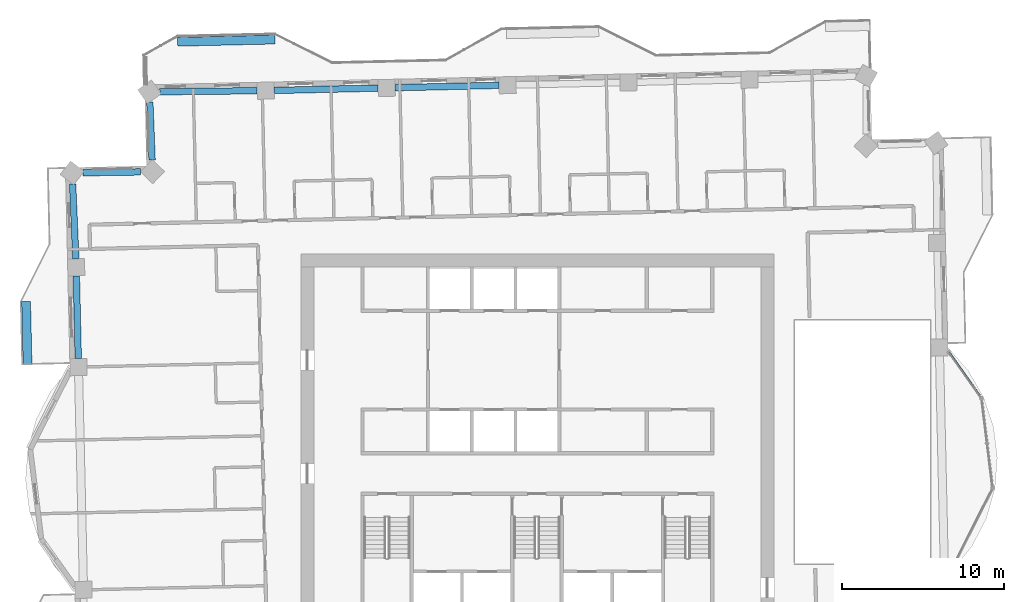
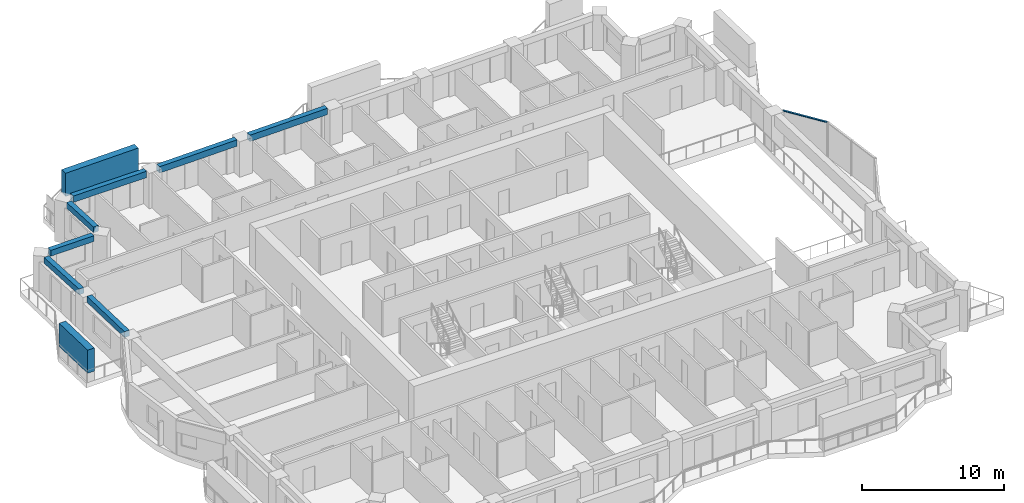
# One storey, part 3 of 17: 7 beams, 3 members, 1 element without a shape of its own.
"""IFC4 building model written with IfcOpenShell, lengths in metres."""

from ifc_helpers import new_model, si_unit, direction, frame, origin, origin_2d, place, context, subcontext, project, spatial, rectangle, extrude, material, material_profile, profile_set, type_object, element, aggregate, save


model = new_model("IFC4")

# Units and contexts
model_context = context("Model", 3, precision=1e-05, world=origin(), true_north=direction((0.0, 1.0)))
body_context = subcontext(model_context, "Body", "Model", "MODEL_VIEW")
ifc_project = project(units=[si_unit("LENGTHUNIT", "METRE"), si_unit("AREAUNIT", "SQUARE_METRE"), si_unit("VOLUMEUNIT", "CUBIC_METRE"), si_unit("PLANEANGLEUNIT", "RADIAN"), si_unit("MASSUNIT", "GRAM", prefix="KILO")], contexts=[model_context])

# Site, building, storey
site_placement = place(None, origin())
site = spatial("IfcSite", under=ifc_project, at=site_placement, CompositionType="ELEMENT")
building_placement = place(site_placement, origin())
building = spatial("IfcBuilding", under=site, at=building_placement, Name="Mangrove Gate Tower", CompositionType="ELEMENT")
storey_placement = place(building_placement, frame((0.0, 0.0, 249.10009765625)))
storey = spatial("IfcBuildingStorey", under=building, at=storey_placement, Name="L63", CompositionType="ELEMENT", Elevation=249.10009765625)

# Curtain wall, member
ifc_material_1 = material(Name="Aluminium and glass curtain wall", Category="aluminium")
curtain_wall_type = type_object("IfcCurtainWallType", Name="Atrium garden-court glazing wall", PredefinedType="NOTDEFINED", material=ifc_material_1)
curtain_wall_placement = place(storey_placement, origin())
curtain_wall = element("IfcCurtainWall", 1, at=curtain_wall_placement, inside=storey, type_object=curtain_wall_type, Name="Atrium garden-court glazing E1f3", PredefinedType="NOTDEFINED")
ifc_material_2 = material(Name="Aluminium alloy 6063-T6", Category="aluminium")
ifc_material_profile_1 = material_profile(ifc_material_2, rectangle(XDim=0.070068359375, YDim=0.14990234375, at=origin_2d()))
ifc_profile_set_1 = profile_set([ifc_material_profile_1], Name="Aluminium alloy 6063-T6")
member_type_1 = type_object("IfcMemberType", Name="Atrium garden-court glazing transom 70x150", PredefinedType="USERDEFINED", material=ifc_profile_set_1)
member_1_placement = place(storey_placement, frame((27.379150390625, 2.739013671875, 3.014892578125), z_axis=(-0.578122045982, 0.815950304829, 0.0), x_axis=(0.0, 0.0, 1.0)))
member_1 = element("IfcMember", 2, at=member_1_placement, type_object=member_type_1, Name="CWA transom 1.2", ObjectType="TRANSOM", PredefinedType="USERDEFINED", context=body_context, shape_type="SweptSolid", body=[
    extrude(rectangle(XDim=0.070068359375, YDim=0.14990234375, at=origin_2d()), origin(), (0.0, 0.0, 1.0), 3.4287109375),
])
aggregate(curtain_wall, [member_1])

# Members
ifc_material_3 = material(Name="Planting on aluminium trellis", Category="aluminium")
ifc_material_profile_2 = material_profile(ifc_material_3, rectangle(XDim=0.550048828125, YDim=2.0, at=origin_2d()))
ifc_profile_set_2 = profile_set([ifc_material_profile_2], Name="Planting on aluminium trellis")
member_type_2 = type_object("IfcMemberType", Name="Balcony greenery screen 550x2000", PredefinedType="USERDEFINED", material=ifc_profile_set_2)
member_2_placement = place(storey_placement, frame((-22.202880859375, 24.7041015625, 1.7998046875), z_axis=(0.999743073592, 0.022666865795, 0.0), x_axis=(-0.022666865795, 0.999743073592, 0.0)))
element("IfcMember", 3, at=member_2_placement, inside=storey, type_object=member_type_2, Name="GREEN SCREEN L63 N1.1", ObjectType="PLANTING", PredefinedType="USERDEFINED", context=body_context, shape_type="SweptSolid", body=[
    extrude(rectangle(XDim=0.550048828125, YDim=2.0, at=origin_2d()), origin(), (0.0, 0.0, 1.0), 5.999267578125),
])
member_3_placement = place(storey_placement, frame((-31.472900390625, 4.799072265625, 1.7998046875), z_axis=(-0.022744303924, 0.999741314861, 0.0), x_axis=(-0.999741314861, -0.022744303924, 0.0)))
element("IfcMember", 4, at=member_3_placement, inside=storey, type_object=member_type_2, Name="GREEN SCREEN L63 W0.1", ObjectType="PLANTING", PredefinedType="USERDEFINED", context=body_context, shape_type="SweptSolid", body=[
    extrude(rectangle(XDim=0.550048828125, YDim=2.0, at=origin_2d()), origin(), (0.0, 0.0, 1.0), 3.875),
])

# Beams
ifc_material_4 = material(Name="Concrete C50/60", Category="concrete")
ifc_material_profile_3 = material_profile(ifc_material_4, rectangle(XDim=0.39990234375, YDim=0.5, at=origin_2d()))
ifc_profile_set_3 = profile_set([ifc_material_profile_3], Name="Concrete C50/60")
beam_type_1 = type_object("IfcBeamType", Name="Edge beam RC 400x500 C50/60", PredefinedType="BEAM", material=ifc_profile_set_3)
beam_1_placement = place(storey_placement, frame((-23.9208984375, 20.98779296875, 2.7998046875), z_axis=(0.038611273731, -0.999254306741, 0.0), x_axis=(0.999254306741, 0.038611273731, 0.0)))
element("IfcBeam", 5, at=beam_1_placement, inside=storey, type_object=beam_type_1, Name="Edge beam L63 25", PredefinedType="BEAM", context=body_context, shape_type="SweptSolid", body=[
    extrude(rectangle(XDim=0.39990234375, YDim=0.5, at=origin_2d()), origin(), (0.0, 0.0, 1.0), 3.578857421875),
])
beam_2_placement = place(storey_placement, frame((-24.490966796875, 16.67041015625, 2.7998046875), z_axis=(-0.999893055651, -0.014624543079, 0.0), x_axis=(0.014624543079, -0.999893055651, 0.0)))
element("IfcBeam", 6, at=beam_2_placement, inside=storey, type_object=beam_type_1, Name="Edge beam L63 26", PredefinedType="BEAM", context=body_context, shape_type="SweptSolid", body=[
    extrude(rectangle(XDim=0.39990234375, YDim=0.5, at=origin_2d()), origin(), (0.0, 0.0, 1.0), 3.555908203125),
])
beam_3_placement = place(storey_placement, frame((-28.6884765625, 15.921875, 2.7998046875), z_axis=(0.0427997553, -0.999083670643, 0.0), x_axis=(0.999083670643, 0.0427997553, 0.0)))
element("IfcBeam", 7, at=beam_3_placement, inside=storey, type_object=beam_type_1, Name="Edge beam L63 27", PredefinedType="BEAM", context=body_context, shape_type="SweptSolid", body=[
    extrude(rectangle(XDim=0.39990234375, YDim=0.5, at=origin_2d()), origin(), (0.0, 0.0, 1.0), 4.620361328125),
])
beam_4_placement = place(storey_placement, frame((-28.456298828125, 10.256103515625, 2.7998046875), z_axis=(0.022734424462, -0.999741539571, 0.0), x_axis=(0.999741539571, 0.022734424462, 0.0)))
element("IfcBeam", 8, at=beam_4_placement, inside=storey, type_object=beam_type_1, Name="Edge beam L63 28", PredefinedType="BEAM", context=body_context, shape_type="SweptSolid", body=[
    extrude(rectangle(XDim=0.39990234375, YDim=0.5, at=origin_2d()), origin(), (0.0, 0.0, 1.0), 5.111572265625),
])
ifc_material_5 = material(Name="Concrete C50/60", Category="concrete")
ifc_material_profile_4 = material_profile(ifc_material_5, rectangle(XDim=0.39990234375, YDim=0.550048828125, at=origin_2d()))
ifc_profile_set_4 = profile_set([ifc_material_profile_4], Name="Concrete C50/60")
beam_type_2 = type_object("IfcBeamType", Name="Edge beam RC 400x550 C50/60", PredefinedType="BEAM", material=ifc_profile_set_4)
for number, where, z_axis, x_axis, name in (
    (9, (-2.362060546875, 22.01416015625, 2.77490234375), (-0.999741226382, -0.022748192739, 0.0), (0.022748192739, -0.999741226382, 0.0), "Edge beam L63 22"),
    (10, (-9.827880859375, 21.84423828125, 2.77490234375), (-0.999743815265, -0.022634129983, 0.0), (0.022634129983, -0.999743815265, 0.0), "Edge beam L63 23"),
):
    element("IfcBeam", number, at=place(storey_placement, frame(where, z_axis=z_axis, x_axis=x_axis)), inside=storey, type_object=beam_type_2, Name=name, PredefinedType="BEAM", context=body_context, shape_type="SweptSolid", body=[
        extrude(rectangle(XDim=0.39990234375, YDim=0.550048828125, at=origin_2d()), origin(), (0.0, 0.0, 1.0), 6.41796875),
    ])
beam_5_placement = place(storey_placement, frame((-17.294189453125, 21.681640625, 2.77490234375), z_axis=(-0.999946001693, -0.010392001641, 0.0), x_axis=(0.010392001641, -0.999946001693, 0.0)))
element("IfcBeam", 11, at=beam_5_placement, inside=storey, type_object=beam_type_2, Name="Edge beam L63 24", PredefinedType="BEAM", context=body_context, shape_type="SweptSolid", body=[
    extrude(rectangle(XDim=0.39990234375, YDim=0.550048828125, at=origin_2d()), origin(), (0.0, 0.0, 1.0), 6.01416015625),
])

save(model, "model.ifc")
